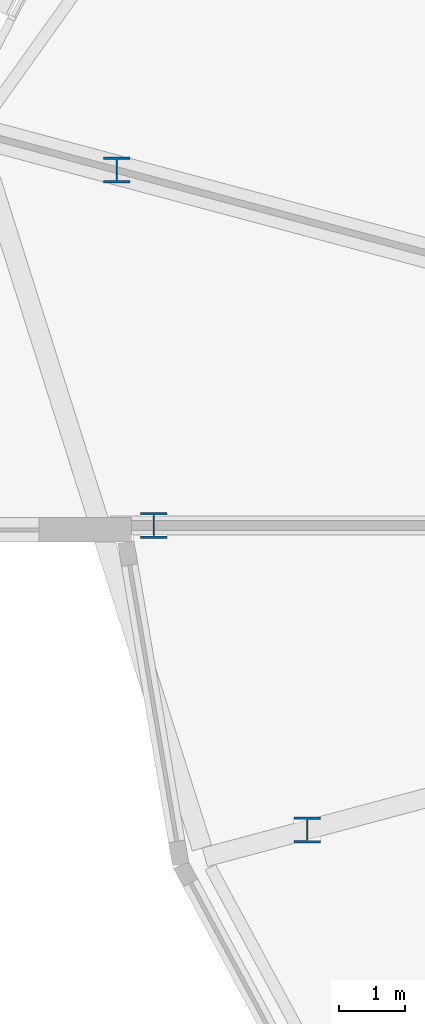
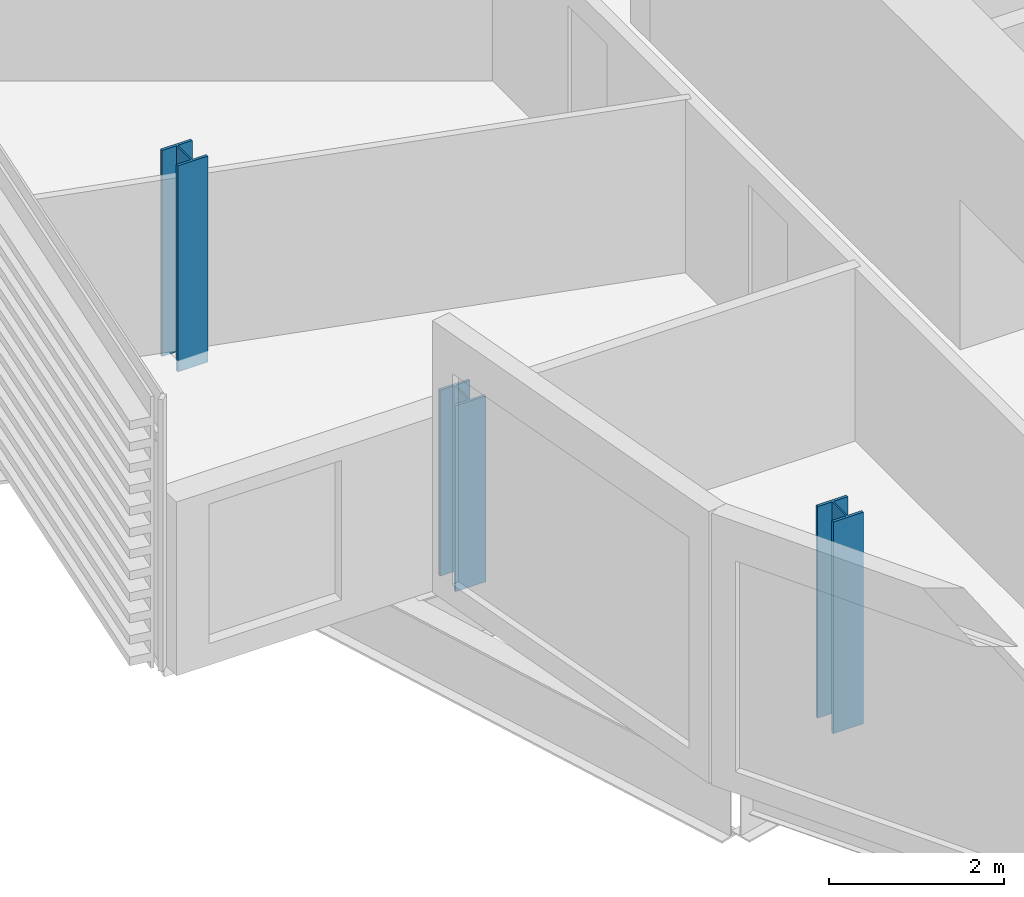
# One storey, part 1 of 36: 3 columns.
"""IFC4 building model written with IfcOpenShell, lengths in metres."""

import ifcopenshell
import ifcopenshell.guid

model = None  # the IFC model being written
_history = None  # IfcOwnerHistory: only IFC2X3 demands one
_inside = {}  # id of a spatial element -> (the spatial element, [elements in it])
_under = {}  # id of a project, library or spatial element -> (it, [spatial elements below it])
_declared = {}  # id of a project -> (the project, [libraries it declares])
_typed = {}  # id of a type object -> (the type object, [elements of that type])
_made_of = {}  # id of a material, layer set ... -> (it, [elements and type objects made of it])


def new_model(schema):
    """Start an empty IFC model of exactly this schema.

    Asked for "IFC4X3", IfcOpenShell would pick the latest addendum, in which some entities
    have other attributes; the version numbers below select the first issue.
    IFC2X3 requires an IfcOwnerHistory on every rooted entity: one is made here for all.
    """
    global model, _history
    if schema == "IFC4X3":
        model = ifcopenshell.file(schema_version=(4, 3, 0, 0))
    else:
        model = ifcopenshell.file(schema=schema)
    _inside.clear()
    _under.clear()
    _declared.clear()
    _typed.clear()
    _made_of.clear()
    _history = None
    if model.schema == "IFC2X3":
        org = make("IfcOrganization", Name="unknown")
        user = make(
            "IfcPersonAndOrganization",
            ThePerson=make("IfcPerson", FamilyName="unknown"),
            TheOrganization=org,
        )
        app = make(
            "IfcApplication",
            ApplicationDeveloper=org,
            Version="unknown",
            ApplicationFullName="unknown",
            ApplicationIdentifier="unknown",
        )
        _history = make(
            "IfcOwnerHistory",
            OwningUser=user,
            OwningApplication=app,
            ChangeAction="ADDED",
            CreationDate=0,
        )
    return model


def make(cls, **values):
    """One entity of the class cls with the attributes given. An attribute that is None is left unset."""
    return model.create_entity(
        cls, **{name: value for name, value in values.items() if value is not None}
    )


def rooted(cls, **values):
    """An entity with a GlobalId (a new one), such as an element, a storey or a relation."""
    return make(cls, GlobalId=ifcopenshell.guid.new(), OwnerHistory=_history, **values)


def si_unit(unit_type, name, prefix=None):
    """IfcSIUnit, for example si_unit("LENGTHUNIT", "METRE", prefix="MILLI")."""
    return make("IfcSIUnit", UnitType=unit_type, Prefix=prefix, Name=name)


def assignment(units):
    """IfcUnitAssignment: the units of a project."""
    return None if units is None else make("IfcUnitAssignment", Units=units)


def point(xyz):
    """IfcCartesianPoint."""
    return None if xyz is None else make("IfcCartesianPoint", Coordinates=xyz)


def direction(xyz):
    """IfcDirection."""
    return None if xyz is None else make("IfcDirection", DirectionRatios=xyz)


def frame(location, z_axis=None, x_axis=None):
    """IfcAxis2Placement3D, a coordinate frame: its origin and axes. An axis left out is left unset."""
    return make(
        "IfcAxis2Placement3D",
        Location=point(location),
        Axis=direction(z_axis),
        RefDirection=direction(x_axis),
    )


def frame_2d(location, x_axis=None):
    """IfcAxis2Placement2D, a coordinate frame in the plane: its origin and x axis."""
    return make(
        "IfcAxis2Placement2D", Location=point(location), RefDirection=direction(x_axis)
    )


def origin():
    """The frame at (0, 0, 0) with its axes left unset."""
    return frame((0.0, 0.0, 0.0))


def origin_2d():
    """The frame at (0, 0) in the plane with its x axis left unset."""
    return frame_2d((0.0, 0.0))


def place(relative_to, where):
    """IfcLocalPlacement: puts the frame where relative to a parent placement (None: the world)."""
    return make(
        "IfcLocalPlacement", PlacementRelTo=relative_to, RelativePlacement=where
    )


def context(
    kind, dimensions, precision=None, world=None, true_north=None, identifier=None
):
    """IfcGeometricRepresentationContext, for example the 3D "Model" context."""
    return make(
        "IfcGeometricRepresentationContext",
        ContextIdentifier=identifier,
        ContextType=kind,
        CoordinateSpaceDimension=dimensions,
        Precision=precision,
        WorldCoordinateSystem=world,
        TrueNorth=true_north,
    )


def subcontext(parent, identifier, kind, view, scale=None):
    """IfcGeometricRepresentationSubContext, for example "Body" below "Model"."""
    return make(
        "IfcGeometricRepresentationSubContext",
        ContextIdentifier=identifier,
        ContextType=kind,
        ParentContext=parent,
        TargetScale=scale,
        TargetView=view,
    )


def project(units=None, contexts=None):
    """IfcProject with its units and contexts."""
    return rooted(
        "IfcProject",
        Name="project",
        RepresentationContexts=contexts,
        UnitsInContext=assignment(units),
    )


def spatial(cls, under=None, at=None, **own):
    """A site, building, storey or space (cls), placed at a placement, below another one or the project."""
    s = rooted(cls, ObjectPlacement=at, **own)
    if under is not None:
        _under.setdefault(under.id(), (under, []))[1].append(s)
    return s


def profile(cls, at=None, kind="AREA", **sizes):
    """A parametric profile (cls). Its sizes go by their IFC names, for example OverallWidth=200.0."""
    return make(cls, ProfileType=kind, Position=at, **sizes)


def i_section(**sizes):
    """IfcIShapeProfileDef."""
    return profile("IfcIShapeProfileDef", **sizes)


def extrude(swept, where, along, depth):
    """IfcExtrudedAreaSolid: the profile swept, set in the frame where, extruded along a direction by depth."""
    return make(
        "IfcExtrudedAreaSolid",
        SweptArea=swept,
        Position=where,
        ExtrudedDirection=direction(along),
        Depth=depth,
    )


def shape(context_of_items, identifier, shape_type, items):
    """IfcShapeRepresentation: the items that make up one representation, for example the "Body"."""
    return make(
        "IfcShapeRepresentation",
        ContextOfItems=context_of_items,
        RepresentationIdentifier=identifier,
        RepresentationType=shape_type,
        Items=items,
    )


def material(Name=None, Category=None):
    """IfcMaterial."""
    return make("IfcMaterial", Name=Name, Category=Category)


def material_profile(
    of_material, cross_section, Name=None, Category=None, Priority=None
):
    """IfcMaterialProfile: a cross section and its material."""
    return make(
        "IfcMaterialProfile",
        Name=Name,
        Material=of_material,
        Profile=cross_section,
        Priority=Priority,
        Category=Category,
    )


def profile_set(profiles, Name=None, composite=None):
    """IfcMaterialProfileSet."""
    return make(
        "IfcMaterialProfileSet",
        Name=Name,
        MaterialProfiles=profiles,
        CompositeProfile=composite,
    )


def made_of(thing, what):
    """Note that an element or type object is made of a material, layer set ...; save() writes the relation."""
    if what is not None:
        _made_of.setdefault(what.id(), (what, []))[1].append(thing)
    return thing


def type_object(cls, material=None, **own):
    """A type object (cls), such as IfcWallType, which elements share."""
    return made_of(rooted(cls, **own), material)


def element(
    cls,
    number,
    at=None,
    inside=None,
    cuts=None,
    type_object=None,
    material=None,
    context=None,
    identifier="Body",
    shape_type=None,
    held_by="IfcProductDefinitionShape",
    body=None,
    shapes=None,
    **own,
):
    """One element of the class cls, such as IfcWall. Its Tag is "e" and its number.

    at: its placement. inside: the storey or other place that contains it. cuts: it is an
    opening in that element (IfcRelVoidsElement). A single representation is given by context,
    identifier, shape_type and body (its items); several are given by shapes. held_by: the class
    of the entity that holds the representations. save() writes the other relations.
    """
    e = rooted(cls, Tag="e%d" % number, ObjectPlacement=at, **own)
    if body is not None:
        shapes = [shape(context, identifier, shape_type, body)]
    if shapes is not None:
        e.Representation = make(held_by, Representations=shapes)
    if inside is not None:
        _inside.setdefault(inside.id(), (inside, []))[1].append(e)
    if cuts is not None:
        rooted(
            "IfcRelVoidsElement", RelatingBuildingElement=cuts, RelatedOpeningElement=e
        )
    if type_object is not None:
        _typed.setdefault(type_object.id(), (type_object, []))[1].append(e)
    return made_of(e, material)


def aggregate(whole, parts):
    """IfcRelAggregates: a whole, such as a stair, and the parts it consists of."""
    return rooted("IfcRelAggregates", RelatingObject=whole, RelatedObjects=parts)


def save(model, path):
    """Write the relations noted so far, then the file.

    IfcRelAggregates (storeys below a building ...), IfcRelContainedInSpatialStructure (elements
    in a storey), IfcRelDefinesByType, IfcRelAssociatesMaterial and IfcRelDeclares: one each for
    every whole, place, type object, material and project.
    """
    for whole, parts in _under.values():
        aggregate(whole, parts)
    for where, things in _inside.values():
        rooted(
            "IfcRelContainedInSpatialStructure",
            RelatedElements=things,
            RelatingStructure=where,
        )
    for kind, things in _typed.values():
        rooted("IfcRelDefinesByType", RelatedObjects=things, RelatingType=kind)
    for what, things in _made_of.values():
        rooted("IfcRelAssociatesMaterial", RelatedObjects=things, RelatingMaterial=what)
    for by, libraries in _declared.values():
        rooted("IfcRelDeclares", RelatingContext=by, RelatedDefinitions=libraries)
    model.write(path)


model = new_model("IFC4")

# Units and contexts
model_context = context("Model", 3, precision=1e-05, world=origin(), true_north=direction((0.0, 1.0)))
body_context = subcontext(model_context, "Body", "Model", "MODEL_VIEW")
ifc_project = project(units=[si_unit("LENGTHUNIT", "METRE"), si_unit("AREAUNIT", "SQUARE_METRE"), si_unit("VOLUMEUNIT", "CUBIC_METRE"), si_unit("PLANEANGLEUNIT", "RADIAN"), si_unit("MASSUNIT", "GRAM", prefix="KILO")], contexts=[model_context])

# Site, building, storey
site_placement = place(None, origin())
site = spatial("IfcSite", under=ifc_project, at=site_placement, CompositionType="ELEMENT")
building_placement = place(site_placement, origin())
building = spatial("IfcBuilding", under=site, at=building_placement, Name="Rimbun Link Towers", CompositionType="ELEMENT")
storey_placement = place(building_placement, frame((0.0, 0.0, 64.199951171875)))
storey = spatial("IfcBuildingStorey", under=building, at=storey_placement, Name="L15", CompositionType="ELEMENT", Elevation=64.199951171875)

# Columns
ifc_material = material(Name="Steel S355J2", Category="steel")
ifc_material_profile = material_profile(ifc_material, i_section(OverallWidth=0.39892578125, OverallDepth=0.3935546875, WebThickness=0.022705078125, FlangeThickness=0.03662109375, at=origin_2d()), Name="UC 356x406x287")
ifc_profile_set = profile_set([ifc_material_profile], Name="Steel S355J2")
column_type = type_object("IfcColumnType", Name="UC 356x406x287", PredefinedType="COLUMN", material=ifc_profile_set)
column_1_placement = place(storey_placement, frame((-51.86572265625, 5.389892578125, -0.159912109375), z_axis=(0.0, 0.0, 1.0), x_axis=(1.0, 0.0, 0.0)))
element("IfcColumn", 1, at=column_1_placement, inside=storey, type_object=column_type, Name="Crease post T1 L15 11", PredefinedType="COLUMN", context=body_context, shape_type="SweptSolid", body=[
    extrude(i_section(OverallWidth=0.39892578125, OverallDepth=0.3935546875, WebThickness=0.022705078125, FlangeThickness=0.03662109375, at=origin_2d()), origin(), (0.0, 0.0, 1.0), 2.881591796875),
])
column_2_placement = place(storey_placement, frame((-51.3037109375, 0.0, -0.159912109375), z_axis=(0.0, 0.0, 1.0), x_axis=(1.0, 0.0, 0.0)))
element("IfcColumn", 2, at=column_2_placement, inside=storey, type_object=column_type, Name="Crease post T1 L15 12", PredefinedType="COLUMN", context=body_context, shape_type="SweptSolid", body=[
    extrude(i_section(OverallWidth=0.39892578125, OverallDepth=0.3935546875, WebThickness=0.022705078125, FlangeThickness=0.03662109375, at=origin_2d()), origin(), (0.0, 0.0, 1.0), 2.599853515625),
])
column_3_placement = place(storey_placement, frame((-48.974853515625, -4.615478515625, -0.159912109375), z_axis=(0.0, 0.0, 1.0), x_axis=(1.0, 0.0, 0.0)))
element("IfcColumn", 3, at=column_3_placement, inside=storey, type_object=column_type, Name="Crease post T1 L15 13", PredefinedType="COLUMN", context=body_context, shape_type="SweptSolid", body=[
    extrude(i_section(OverallWidth=0.39892578125, OverallDepth=0.3935546875, WebThickness=0.022705078125, FlangeThickness=0.03662109375, at=origin_2d()), origin(), (0.0, 0.0, 1.0), 2.959228515625),
])

save(model, "model.ifc")
